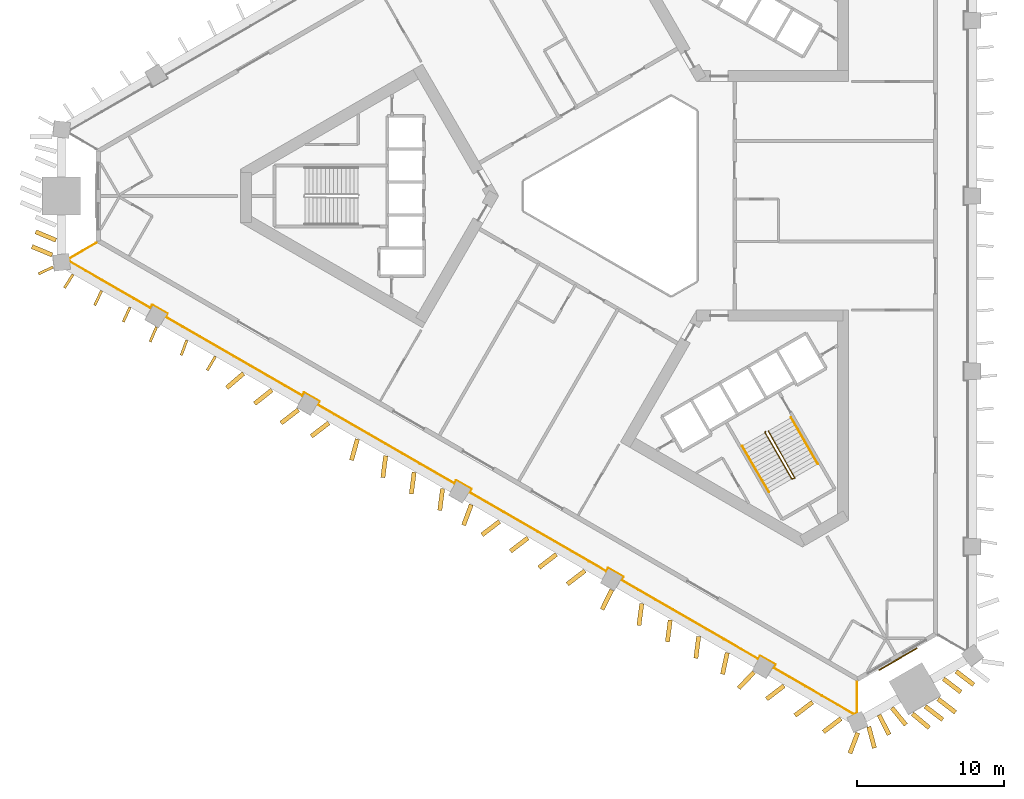
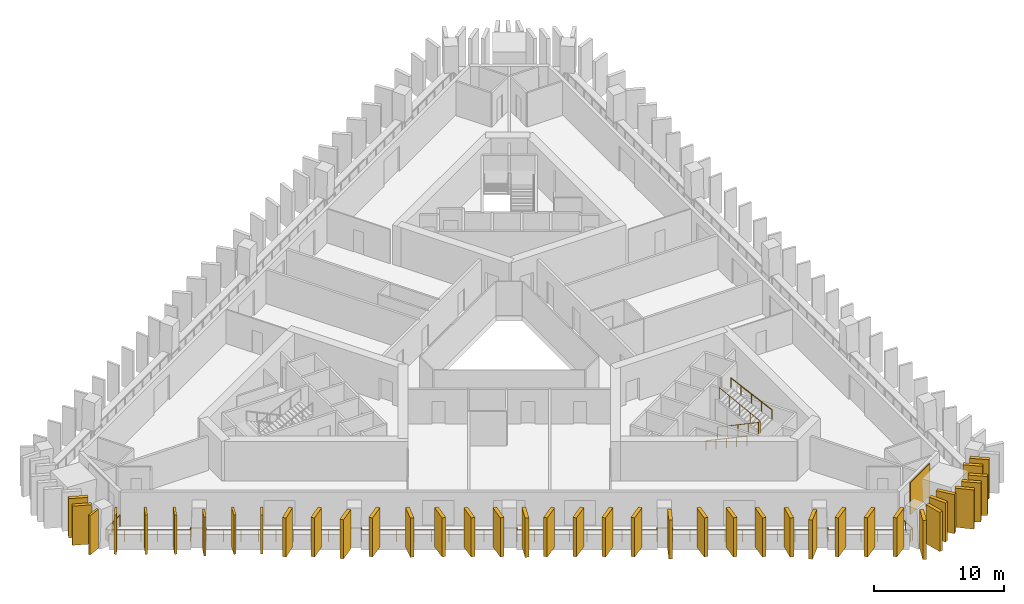
# One storey, part 7 of 10: 40 shading devices, 4 railings, 1 covering.
"""IFC4 building model written with IfcOpenShell, lengths in metres."""

from ifc_helpers import new_model, si_unit, direction, frame, frame_2d, origin, origin_2d, place, context, subcontext, project, spatial, rectangle, circle, extrude, material, layer, layer_set, type_object, element, save


model = new_model("IFC4")

# Units and contexts
model_context = context("Model", 3, precision=1e-05, world=origin(), true_north=direction((0.0, 1.0)))
body_context = subcontext(model_context, "Body", "Model", "MODEL_VIEW")
ifc_project = project(units=[si_unit("LENGTHUNIT", "METRE"), si_unit("AREAUNIT", "SQUARE_METRE"), si_unit("VOLUMEUNIT", "CUBIC_METRE"), si_unit("PLANEANGLEUNIT", "RADIAN"), si_unit("MASSUNIT", "GRAM", prefix="KILO")], contexts=[model_context])

# Site, building, storey
site_placement = place(None, origin())
site = spatial("IfcSite", under=ifc_project, at=site_placement, CompositionType="ELEMENT")
building_placement = place(site_placement, origin())
building = spatial("IfcBuilding", under=site, at=building_placement, Name="Jabali Bay Hotel Tower and Convention Centre", CompositionType="ELEMENT")
storey_placement = place(building_placement, frame((0.0, 0.0, 64.699951171875)))
storey = spatial("IfcBuildingStorey", under=building, at=storey_placement, Name="L14", CompositionType="ELEMENT", Elevation=64.699951171875)

# Railing
ifc_material_1 = material(Name="Glass", Category="glass")
railing_type_1 = type_object("IfcRailingType", Name="Loggia glass guard 1100", PredefinedType="BALUSTRADE", material=ifc_material_1)
railing_1_placement = place(storey_placement, frame((90.448974609375, 46.83251953125, 0.0)))
element("IfcRailing", 1, at=railing_1_placement, inside=storey, type_object=railing_type_1, Name="Loggia glass guard L14", PredefinedType="BALUSTRADE", context=body_context, shape_type="SweptSolid", body=[
    extrude(circle(Radius=0.02490234375, at=origin_2d()), frame((0.0, 0.0, 1.0751953125), z_axis=(0.0, -1.0, 0.0), x_axis=(0.991444861374, 0.0, 0.13052619222)), (0.0, 0.0, 1.0), 2.110595703125),
    extrude(circle(Radius=0.02490234375, at=origin_2d()), frame((0.0, -2.110595703125, 1.0751953125), z_axis=(-0.918259892691, -0.395978243688, 0.0), x_axis=(0.392590594921, -0.910404052014, 0.13052619222)), (0.0, 0.0, 1.0), 0.214599609375),
    extrude(circle(Radius=0.02490234375, at=origin_2d()), frame((-0.197021484375, -2.195556640625, 1.0751953125), z_axis=(-0.866031932279, 0.499988692146, 0.0), x_axis=(-0.495711219573, -0.858622909043, 0.13052619222)), (0.0, 0.0, 1.0), 6.350341796875),
    extrude(circle(Radius=0.02490234375, at=origin_2d()), frame((-5.696533203125, 0.9794921875, 1.0751953125), z_axis=(0.500342721131, 0.865827443207, 0.0), x_axis=(-0.858420169404, 0.496062219791, 0.13052619222)), (0.0, 0.0, 1.0), 0.249755859375),
    extrude(circle(Radius=0.02490234375, at=origin_2d()), frame((-5.571533203125, 1.19580078125, 1.0751953125), z_axis=(-0.865955154139, 0.50012165622, 0.0), x_axis=(-0.495843046121, -0.858546787751, 0.13052619222)), (0.0, 0.0, 1.0), 1.199951171875),
    extrude(circle(Radius=0.02490234375, at=origin_2d()), frame((-6.610595703125, 1.7958984375, 1.0751953125), z_axis=(-0.499919672301, -0.866071776036, 0.0), x_axis=(0.858662411932, -0.495642790202, 0.13052619222)), (0.0, 0.0, 1.0), 0.25),
    extrude(circle(Radius=0.02490234375, at=origin_2d()), frame((-6.735595703125, 1.579345703125, 1.0751953125), z_axis=(-0.866026284099, 0.499998475248, 0.0), x_axis=(-0.495720918979, -0.858617309184, 0.13052619222)), (0.0, 0.0, 1.0), 10.77001953125),
    extrude(circle(Radius=0.02490234375, at=origin_2d()), frame((-16.062744140625, 6.96435546875, 1.0751953125), z_axis=(0.499919672301, 0.866071776036, 0.0), x_axis=(-0.858662411932, 0.495642790202, 0.13052619222)), (0.0, 0.0, 1.0), 0.25),
    extrude(circle(Radius=0.02490234375, at=origin_2d()), frame((-15.937744140625, 7.180908203125, 1.0751953125), z_axis=(-0.866006032174, 0.500033551112, 0.0), x_axis=(-0.495755694765, -0.858597230518, 0.13052619222)), (0.0, 0.0, 1.0), 1.2001953125),
    extrude(circle(Radius=0.02490234375, at=origin_2d()), frame((-16.97705078125, 7.781005859375, 1.0751953125), z_axis=(-0.499919672301, -0.866071776036, 0.0), x_axis=(0.858662411932, -0.495642790202, 0.13052619222)), (0.0, 0.0, 1.0), 0.25),
    extrude(circle(Radius=0.02490234375, at=origin_2d()), frame((-17.10205078125, 7.564453125, 1.0751953125), z_axis=(-0.866026284099, 0.499998475248, 0.0), x_axis=(-0.495720918979, -0.858617309184, 0.13052619222)), (0.0, 0.0, 1.0), 10.77001953125),
    extrude(circle(Radius=0.02490234375, at=origin_2d()), frame((-26.42919921875, 12.949462890625, 1.0751953125), z_axis=(0.500342721131, 0.865827443207, 0.0), x_axis=(-0.858420169404, 0.496062219791, 0.13052619222)), (0.0, 0.0, 1.0), 0.249755859375),
    extrude(circle(Radius=0.02490234375, at=origin_2d()), frame((-26.30419921875, 13.165771484375, 1.0751953125), z_axis=(-0.865955154139, 0.50012165622, 0.0), x_axis=(-0.495843046121, -0.858546787751, 0.13052619222)), (0.0, 0.0, 1.0), 1.199951171875),
    extrude(circle(Radius=0.02490234375, at=origin_2d()), frame((-27.34326171875, 13.765869140625, 1.0751953125), z_axis=(-0.499919672301, -0.866071776036, 0.0), x_axis=(0.858662411932, -0.495642790202, 0.13052619222)), (0.0, 0.0, 1.0), 0.25),
    extrude(circle(Radius=0.02490234375, at=origin_2d()), frame((-27.46826171875, 13.54931640625, 1.0751953125), z_axis=(-0.866026284099, 0.499998475248, 0.0), x_axis=(-0.495720918979, -0.858617309184, 0.13052619222)), (0.0, 0.0, 1.0), 10.77001953125),
    extrude(circle(Radius=0.02490234375, at=origin_2d()), frame((-36.79541015625, 18.934326171875, 1.0751953125), z_axis=(0.499919672301, 0.866071776036, 0.0), x_axis=(-0.858662411932, 0.495642790202, 0.13052619222)), (0.0, 0.0, 1.0), 0.25),
    extrude(circle(Radius=0.02490234375, at=origin_2d()), frame((-36.67041015625, 19.15087890625, 1.0751953125), z_axis=(-0.866006032174, 0.500033551112, 0.0), x_axis=(-0.495755694765, -0.858597230518, 0.13052619222)), (0.0, 0.0, 1.0), 1.2001953125),
    extrude(circle(Radius=0.02490234375, at=origin_2d()), frame((-37.709716796875, 19.7509765625, 1.0751953125), z_axis=(-0.499919672301, -0.866071776036, 0.0), x_axis=(0.858662411932, -0.495642790202, 0.13052619222)), (0.0, 0.0, 1.0), 0.25),
    extrude(circle(Radius=0.02490234375, at=origin_2d()), frame((-37.834716796875, 19.534423828125, 1.0751953125), z_axis=(-0.866020616849, 0.500008291124, 0.0), x_axis=(-0.49573065088, -0.858611690418, 0.13052619222)), (0.0, 0.0, 1.0), 10.769775390625),
    extrude(circle(Radius=0.02490234375, at=origin_2d()), frame((-47.16162109375, 24.91943359375, 1.0751953125), z_axis=(0.499919672301, 0.866071776036, 0.0), x_axis=(-0.858662411932, 0.495642790202, 0.13052619222)), (0.0, 0.0, 1.0), 0.25),
    extrude(circle(Radius=0.02490234375, at=origin_2d()), frame((-47.03662109375, 25.135986328125, 1.0751953125), z_axis=(-0.866094119867, 0.499880961361, 0.0), x_axis=(-0.49560441044, -0.858684564609, 0.13052619222)), (0.0, 0.0, 1.0), 1.199951171875),
    extrude(circle(Radius=0.02490234375, at=origin_2d()), frame((-48.075927734375, 25.73583984375, 1.0751953125), z_axis=(-0.499919672301, -0.866071776036, 0.0), x_axis=(0.858662411932, -0.495642790202, 0.13052619222)), (0.0, 0.0, 1.0), 0.25),
    extrude(circle(Radius=0.02490234375, at=origin_2d()), frame((-48.200927734375, 25.519287109375, 1.0751953125), z_axis=(-0.866022320763, 0.500005339912, 0.0), x_axis=(-0.495727724915, -0.858613379755, 0.13052619222)), (0.0, 0.0, 1.0), 6.35009765625),
    extrude(circle(Radius=0.02490234375, at=origin_2d()), frame((-53.7001953125, 28.6943359375, 1.0751953125), z_axis=(-0.115918072513, 0.993258778197, 0.0), x_axis=(-0.984761311658, -0.114926377333, 0.13052619222)), (0.0, 0.0, 1.0), 0.21484375),
    extrude(circle(Radius=0.02490234375, at=origin_2d()), frame((-53.72509765625, 28.90771484375, 1.0751953125), z_axis=(0.866027613664, 0.499996172356, 0.0), x_axis=(-0.495718635789, 0.858618627375, 0.13052619222)), (0.0, 0.0, 1.0), 2.1103515625),
    extrude(circle(Radius=0.02001953125, at=origin_2d()), origin(), (0.0, 0.0, 1.0), 1.050048828125),
    extrude(circle(Radius=0.02001953125, at=origin_2d()), frame((0.0, -1.05517578125, 0.0)), (0.0, 0.0, 1.0), 1.050048828125),
    extrude(circle(Radius=0.02001953125, at=origin_2d()), frame((0.0, -2.110595703125, 0.0)), (0.0, 0.0, 1.0), 1.050048828125),
    extrude(circle(Radius=0.02001953125, at=origin_2d()), frame((-0.197021484375, -2.195556640625, 0.0)), (0.0, 0.0, 1.0), 1.050048828125),
    extrude(circle(Radius=0.02001953125, at=origin_2d()), frame((-1.296875, -1.560546875, 0.0)), (0.0, 0.0, 1.0), 1.050048828125),
    extrude(circle(Radius=0.02001953125, at=origin_2d()), frame((-2.396728515625, -0.925537109375, 0.0)), (0.0, 0.0, 1.0), 1.050048828125),
    extrude(circle(Radius=0.02001953125, at=origin_2d()), frame((-3.496826171875, -0.29052734375, 0.0)), (0.0, 0.0, 1.0), 1.050048828125),
    extrude(circle(Radius=0.02001953125, at=origin_2d()), frame((-4.5966796875, 0.344482421875, 0.0)), (0.0, 0.0, 1.0), 1.050048828125),
    extrude(circle(Radius=0.02001953125, at=origin_2d()), frame((-5.696533203125, 0.9794921875, 0.0)), (0.0, 0.0, 1.0), 1.050048828125),
    extrude(circle(Radius=0.02001953125, at=origin_2d()), frame((-5.571533203125, 1.19580078125, 0.0)), (0.0, 0.0, 1.0), 1.050048828125),
    extrude(circle(Radius=0.02001953125, at=origin_2d()), frame((-6.610595703125, 1.7958984375, 0.0)), (0.0, 0.0, 1.0), 1.050048828125),
    extrude(circle(Radius=0.02001953125, at=origin_2d()), frame((-6.735595703125, 1.579345703125, 0.0)), (0.0, 0.0, 1.0), 1.050048828125),
    extrude(circle(Radius=0.02001953125, at=origin_2d()), frame((-7.9013671875, 2.25244140625, 0.0)), (0.0, 0.0, 1.0), 1.050048828125),
    extrude(circle(Radius=0.02001953125, at=origin_2d()), frame((-9.0673828125, 2.925537109375, 0.0)), (0.0, 0.0, 1.0), 1.050048828125),
    extrude(circle(Radius=0.02001953125, at=origin_2d()), frame((-10.2333984375, 3.5986328125, 0.0)), (0.0, 0.0, 1.0), 1.050048828125),
    extrude(circle(Radius=0.02001953125, at=origin_2d()), frame((-11.399169921875, 4.27197265625, 0.0)), (0.0, 0.0, 1.0), 1.050048828125),
    extrude(circle(Radius=0.02001953125, at=origin_2d()), frame((-12.56494140625, 4.945068359375, 0.0)), (0.0, 0.0, 1.0), 1.050048828125),
    extrude(circle(Radius=0.02001953125, at=origin_2d()), frame((-13.73095703125, 5.6181640625, 0.0)), (0.0, 0.0, 1.0), 1.050048828125),
    extrude(circle(Radius=0.02001953125, at=origin_2d()), frame((-14.89697265625, 6.291259765625, 0.0)), (0.0, 0.0, 1.0), 1.050048828125),
    extrude(circle(Radius=0.02001953125, at=origin_2d()), frame((-16.062744140625, 6.96435546875, 0.0)), (0.0, 0.0, 1.0), 1.050048828125),
    extrude(circle(Radius=0.02001953125, at=origin_2d()), frame((-15.937744140625, 7.180908203125, 0.0)), (0.0, 0.0, 1.0), 1.050048828125),
    extrude(circle(Radius=0.02001953125, at=origin_2d()), frame((-16.97705078125, 7.781005859375, 0.0)), (0.0, 0.0, 1.0), 1.050048828125),
    extrude(circle(Radius=0.02001953125, at=origin_2d()), frame((-17.10205078125, 7.564453125, 0.0)), (0.0, 0.0, 1.0), 1.050048828125),
    extrude(circle(Radius=0.02001953125, at=origin_2d()), frame((-18.26806640625, 8.237548828125, 0.0)), (0.0, 0.0, 1.0), 1.050048828125),
    extrude(circle(Radius=0.02001953125, at=origin_2d()), frame((-19.433837890625, 8.91064453125, 0.0)), (0.0, 0.0, 1.0), 1.050048828125),
    extrude(circle(Radius=0.02001953125, at=origin_2d()), frame((-20.599609375, 9.583740234375, 0.0)), (0.0, 0.0, 1.0), 1.050048828125),
    extrude(circle(Radius=0.02001953125, at=origin_2d()), frame((-21.765625, 10.2568359375, 0.0)), (0.0, 0.0, 1.0), 1.050048828125),
    extrude(circle(Radius=0.02001953125, at=origin_2d()), frame((-22.931640625, 10.93017578125, 0.0)), (0.0, 0.0, 1.0), 1.050048828125),
    extrude(circle(Radius=0.02001953125, at=origin_2d()), frame((-24.097412109375, 11.603271484375, 0.0)), (0.0, 0.0, 1.0), 1.050048828125),
    extrude(circle(Radius=0.02001953125, at=origin_2d()), frame((-25.26318359375, 12.2763671875, 0.0)), (0.0, 0.0, 1.0), 1.050048828125),
    extrude(circle(Radius=0.02001953125, at=origin_2d()), frame((-26.42919921875, 12.949462890625, 0.0)), (0.0, 0.0, 1.0), 1.050048828125),
    extrude(circle(Radius=0.02001953125, at=origin_2d()), frame((-26.30419921875, 13.165771484375, 0.0)), (0.0, 0.0, 1.0), 1.050048828125),
    extrude(circle(Radius=0.02001953125, at=origin_2d()), frame((-27.34326171875, 13.765869140625, 0.0)), (0.0, 0.0, 1.0), 1.050048828125),
    extrude(circle(Radius=0.02001953125, at=origin_2d()), frame((-27.46826171875, 13.54931640625, 0.0)), (0.0, 0.0, 1.0), 1.050048828125),
    extrude(circle(Radius=0.02001953125, at=origin_2d()), frame((-28.63427734375, 14.222412109375, 0.0)), (0.0, 0.0, 1.0), 1.050048828125),
    extrude(circle(Radius=0.02001953125, at=origin_2d()), frame((-29.800048828125, 14.8955078125, 0.0)), (0.0, 0.0, 1.0), 1.050048828125),
    extrude(circle(Radius=0.02001953125, at=origin_2d()), frame((-30.9658203125, 15.568603515625, 0.0)), (0.0, 0.0, 1.0), 1.050048828125),
    extrude(circle(Radius=0.02001953125, at=origin_2d()), frame((-32.1318359375, 16.24169921875, 0.0)), (0.0, 0.0, 1.0), 1.050048828125),
    extrude(circle(Radius=0.02001953125, at=origin_2d()), frame((-33.2978515625, 16.9150390625, 0.0)), (0.0, 0.0, 1.0), 1.050048828125),
    extrude(circle(Radius=0.02001953125, at=origin_2d()), frame((-34.463623046875, 17.588134765625, 0.0)), (0.0, 0.0, 1.0), 1.050048828125),
    extrude(circle(Radius=0.02001953125, at=origin_2d()), frame((-35.62939453125, 18.26123046875, 0.0)), (0.0, 0.0, 1.0), 1.050048828125),
    extrude(circle(Radius=0.02001953125, at=origin_2d()), frame((-36.79541015625, 18.934326171875, 0.0)), (0.0, 0.0, 1.0), 1.050048828125),
    extrude(circle(Radius=0.02001953125, at=origin_2d()), frame((-36.67041015625, 19.15087890625, 0.0)), (0.0, 0.0, 1.0), 1.050048828125),
    extrude(circle(Radius=0.02001953125, at=origin_2d()), frame((-37.709716796875, 19.7509765625, 0.0)), (0.0, 0.0, 1.0), 1.050048828125),
    extrude(circle(Radius=0.02001953125, at=origin_2d()), frame((-37.834716796875, 19.534423828125, 0.0)), (0.0, 0.0, 1.0), 1.050048828125),
    extrude(circle(Radius=0.02001953125, at=origin_2d()), frame((-39.00048828125, 20.20751953125, 0.0)), (0.0, 0.0, 1.0), 1.050048828125),
    extrude(circle(Radius=0.02001953125, at=origin_2d()), frame((-40.16650390625, 20.880615234375, 0.0)), (0.0, 0.0, 1.0), 1.050048828125),
    extrude(circle(Radius=0.02001953125, at=origin_2d()), frame((-41.332275390625, 21.5537109375, 0.0)), (0.0, 0.0, 1.0), 1.050048828125),
    extrude(circle(Radius=0.02001953125, at=origin_2d()), frame((-42.498046875, 22.22705078125, 0.0)), (0.0, 0.0, 1.0), 1.050048828125),
    extrude(circle(Radius=0.02001953125, at=origin_2d()), frame((-43.6640625, 22.900146484375, 0.0)), (0.0, 0.0, 1.0), 1.050048828125),
    extrude(circle(Radius=0.02001953125, at=origin_2d()), frame((-44.829833984375, 23.5732421875, 0.0)), (0.0, 0.0, 1.0), 1.050048828125),
    extrude(circle(Radius=0.02001953125, at=origin_2d()), frame((-45.995849609375, 24.246337890625, 0.0)), (0.0, 0.0, 1.0), 1.050048828125),
    extrude(circle(Radius=0.02001953125, at=origin_2d()), frame((-47.16162109375, 24.91943359375, 0.0)), (0.0, 0.0, 1.0), 1.050048828125),
    extrude(circle(Radius=0.02001953125, at=origin_2d()), frame((-47.03662109375, 25.135986328125, 0.0)), (0.0, 0.0, 1.0), 1.050048828125),
    extrude(circle(Radius=0.02001953125, at=origin_2d()), frame((-48.075927734375, 25.73583984375, 0.0)), (0.0, 0.0, 1.0), 1.050048828125),
    extrude(circle(Radius=0.02001953125, at=origin_2d()), frame((-48.200927734375, 25.519287109375, 0.0)), (0.0, 0.0, 1.0), 1.050048828125),
    extrude(circle(Radius=0.02001953125, at=origin_2d()), frame((-49.30078125, 26.154296875, 0.0)), (0.0, 0.0, 1.0), 1.050048828125),
    extrude(circle(Radius=0.02001953125, at=origin_2d()), frame((-50.400634765625, 26.789306640625, 0.0)), (0.0, 0.0, 1.0), 1.050048828125),
    extrude(circle(Radius=0.02001953125, at=origin_2d()), frame((-51.50048828125, 27.42431640625, 0.0)), (0.0, 0.0, 1.0), 1.050048828125),
    extrude(circle(Radius=0.02001953125, at=origin_2d()), frame((-52.600341796875, 28.059326171875, 0.0)), (0.0, 0.0, 1.0), 1.050048828125),
    extrude(circle(Radius=0.02001953125, at=origin_2d()), frame((-53.7001953125, 28.6943359375, 0.0)), (0.0, 0.0, 1.0), 1.050048828125),
    extrude(circle(Radius=0.02001953125, at=origin_2d()), frame((-53.72509765625, 28.90771484375, 0.0)), (0.0, 0.0, 1.0), 1.050048828125),
    extrude(circle(Radius=0.02001953125, at=origin_2d()), frame((-52.811279296875, 29.435302734375, 0.0)), (0.0, 0.0, 1.0), 1.050048828125),
    extrude(circle(Radius=0.02001953125, at=origin_2d()), frame((-51.8974609375, 29.962890625, 0.0)), (0.0, 0.0, 1.0), 1.050048828125),
])

# Shading devices
ifc_material_2 = material(Name="Precast concrete C60", Category="concrete")
ifc_layer_1 = layer(ifc_material_2, 0.179931640625)
ifc_layer_set_1 = layer_set([ifc_layer_1], Name="Precast concrete C60")
shading_device_type_1 = type_object("IfcShadingDeviceType", Name="Precast fin 3680 x 1100", PredefinedType="USERDEFINED", material=ifc_layer_set_1)
for number, where, z_axis, x_axis, name in (
    (2, (36.973876953125, 74.650634765625, 0.010009765625), (0.0, 0.0, 1.0), (-0.537320606179, -0.843378068351, 0.0), "Fin L14 074"),
    (3, (38.9130859375, 73.52685546875, 0.010009765625), (0.0, 0.0, 1.0), (-0.425241157529, -0.905080083718, 0.0), "Fin L14 075"),
):
    element("IfcShadingDevice", number, at=place(storey_placement, frame(where, z_axis=z_axis, x_axis=x_axis)), inside=storey, type_object=shading_device_type_1, Name=name, ObjectType="FIN", PredefinedType="USERDEFINED", context=body_context, shape_type="SweptSolid", body=[
        extrude(rectangle(XDim=1.10009765625, YDim=0.179931640625, at=frame_2d((0.550048828125, 0.0))), origin(), (0.0, 0.0, 1.0), 3.679931640625),
    ])
shading_device_1_placement = place(storey_placement, frame((40.853515625, 72.405517578125, 0.010009765625), z_axis=(0.0, 0.0, 1.0), x_axis=(-0.417762698735, -0.90855617743, 0.0)))
element("IfcShadingDevice", 4, at=shading_device_1_placement, inside=storey, type_object=shading_device_type_1, Name="Fin L14 076", ObjectType="FIN", PredefinedType="USERDEFINED", context=body_context, shape_type="SweptSolid", body=[
    extrude(rectangle(XDim=1.099853515625, YDim=0.179931640625, at=frame_2d((0.5498046875, 0.0))), origin(), (0.0, 0.0, 1.0), 3.679931640625),
])
for number, where, z_axis, x_axis, name in (
    (5, (42.664794921875, 71.06005859375, 0.010009765625), (0.0, 0.0, 1.0), (-0.397719547411, -0.917507036271, 0.0), "Fin L14 077"),
    (6, (44.732177734375, 70.158447265625, 0.010009765625), (0.0, 0.0, 1.0), (-0.348008203872, -0.937491487982, 0.0), "Fin L14 078"),
):
    element("IfcShadingDevice", number, at=place(storey_placement, frame(where, z_axis=z_axis, x_axis=x_axis)), inside=storey, type_object=shading_device_type_1, Name=name, ObjectType="FIN", PredefinedType="USERDEFINED", context=body_context, shape_type="SweptSolid", body=[
        extrude(rectangle(XDim=1.10009765625, YDim=0.179931640625, at=frame_2d((0.550048828125, 0.0))), origin(), (0.0, 0.0, 1.0), 3.679931640625),
    ])
shading_device_2_placement = place(storey_placement, frame((46.680419921875, 69.050537109375, 0.010009765625), z_axis=(0.0, 0.0, 1.0), x_axis=(-0.504505706254, -0.863408357822, 0.0)))
element("IfcShadingDevice", 7, at=shading_device_2_placement, inside=storey, type_object=shading_device_type_1, Name="Fin L14 079", ObjectType="FIN", PredefinedType="USERDEFINED", context=body_context, shape_type="SweptSolid", body=[
    extrude(rectangle(XDim=1.099853515625, YDim=0.179931640625, at=frame_2d((0.5498046875, 0.0))), origin(), (0.0, 0.0, 1.0), 3.679931640625),
])
shading_device_3_placement = place(storey_placement, frame((35.60595703125, 75.152587890625, 0.010009765625), z_axis=(0.0, 0.0, 1.0), x_axis=(-0.903511757485, -0.42856330231, 0.0)))
element("IfcShadingDevice", 8, at=shading_device_3_placement, inside=storey, type_object=shading_device_type_1, Name="Fin L14 115", ObjectType="FIN", PredefinedType="USERDEFINED", context=body_context, shape_type="SweptSolid", body=[
    extrude(rectangle(XDim=1.10009765625, YDim=0.179931640625, at=frame_2d((0.550048828125, 0.0))), origin(), (0.0, 0.0, 1.0), 3.679931640625),
])
ifc_layer_2 = layer(ifc_material_2, 0.300048828125)
ifc_layer_set_2 = layer_set([ifc_layer_2], Name="Precast concrete C60")
shading_device_type_2 = type_object("IfcShadingDeviceType", Name="Precast fin 3680 x 1500", PredefinedType="USERDEFINED", material=ifc_layer_set_2)
shading_device_4_placement = place(storey_placement, frame((35.80712890625, 76.978271484375, 0.010009765625), z_axis=(0.0, 0.0, 1.0), x_axis=(-0.923096181819, 0.384569160374, 0.0)))
element("IfcShadingDevice", 9, at=shading_device_4_placement, inside=storey, type_object=shading_device_type_2, Name="Fin L14 072", ObjectType="FIN", PredefinedType="USERDEFINED", context=body_context, shape_type="SweptSolid", body=[
    extrude(rectangle(XDim=1.500244140625, YDim=0.300048828125, at=frame_2d((0.75, 0.0))), origin(), (0.0, 0.0, 1.0), 3.679931640625),
])
shading_device_5_placement = place(storey_placement, frame((35.550537109375, 75.97119140625, 0.010009765625), z_axis=(0.0, 0.0, 1.0), x_axis=(-0.923129890319, 0.384488238571, 0.0)))
element("IfcShadingDevice", 10, at=shading_device_5_placement, inside=storey, type_object=shading_device_type_2, Name="Fin L14 073", ObjectType="FIN", PredefinedType="USERDEFINED", context=body_context, shape_type="SweptSolid", body=[
    extrude(rectangle(XDim=1.499755859375, YDim=0.300048828125, at=frame_2d((0.75, 0.0))), origin(), (0.0, 0.0, 1.0), 3.679931640625),
])
shading_device_6_placement = place(storey_placement, frame((48.5966796875, 67.88720703125, 0.010009765625), z_axis=(0.0, 0.0, 1.0), x_axis=(-0.759302557881, -0.650737754857, 0.0)))
element("IfcShadingDevice", 11, at=shading_device_6_placement, inside=storey, type_object=shading_device_type_2, Name="Fin L14 080", ObjectType="FIN", PredefinedType="USERDEFINED", context=body_context, shape_type="SweptSolid", body=[
    extrude(rectangle(XDim=1.5, YDim=0.300048828125, at=frame_2d((0.75, 0.0))), origin(), (0.0, 0.0, 1.0), 3.679931640625),
])
shading_device_7_placement = place(storey_placement, frame((50.53515625, 66.76171875, 0.010009765625), z_axis=(0.0, 0.0, 1.0), x_axis=(-0.78378174823, -0.621036368614, 0.0)))
element("IfcShadingDevice", 12, at=shading_device_7_placement, inside=storey, type_object=shading_device_type_2, Name="Fin L14 081", ObjectType="FIN", PredefinedType="USERDEFINED", context=body_context, shape_type="SweptSolid", body=[
    extrude(rectangle(XDim=1.500244140625, YDim=0.300048828125, at=frame_2d((0.75, 0.0))), origin(), (0.0, 0.0, 1.0), 3.679931640625),
])
for number, where, z_axis, x_axis, name in (
    (13, (52.346435546875, 65.416748046875, 0.010009765625), (0.0, 0.0, 1.0), (-0.791503298188, -0.611164895064, 0.0), "Fin L14 082"),
    (14, (54.416015625, 64.5185546875, 0.010009765625), (0.0, 0.0, 1.0), (-0.793766129681, -0.608223093422, 0.0), "Fin L14 083"),
):
    element("IfcShadingDevice", number, at=place(storey_placement, frame(where, z_axis=z_axis, x_axis=x_axis)), inside=storey, type_object=shading_device_type_2, Name=name, ObjectType="FIN", PredefinedType="USERDEFINED", context=body_context, shape_type="SweptSolid", body=[
        extrude(rectangle(XDim=1.5, YDim=0.300048828125, at=frame_2d((0.75, 0.0))), origin(), (0.0, 0.0, 1.0), 3.679931640625),
    ])
for number, where, z_axis, x_axis, name in (
    (15, (56.36669921875, 63.4150390625, 0.010009765625), (0.0, 0.0, 1.0), (-0.266627877849, -0.963799551127, 0.0), "Fin L14 084"),
    (16, (58.2978515625, 62.277099609375, 0.010009765625), (0.0, 0.0, 1.0), (-0.128761553887, -0.991675583162, 0.0), "Fin L14 085"),
):
    element("IfcShadingDevice", number, at=place(storey_placement, frame(where, z_axis=z_axis, x_axis=x_axis)), inside=storey, type_object=shading_device_type_2, Name=name, ObjectType="FIN", PredefinedType="USERDEFINED", context=body_context, shape_type="SweptSolid", body=[
        extrude(rectangle(XDim=1.499755859375, YDim=0.300048828125, at=frame_2d((0.75, 0.0))), origin(), (0.0, 0.0, 1.0), 3.679931640625),
    ])
for number, where, z_axis, x_axis, name in (
    (17, (60.23876953125, 61.156494140625, 0.010009765625), (0.0, 0.0, 1.0), (-0.128580707026, -0.991699047988, 0.0), "Fin L14 086"),
    (18, (62.1796875, 60.035888671875, 0.010009765625), (0.0, 0.0, 1.0), (-0.128580707026, -0.991699047988, 0.0), "Fin L14 087"),
    (19, (64.13720703125, 58.94384765625, 0.010009765625), (0.0, 0.0, 1.0), (-0.350588277937, -0.936529689531, 0.0), "Fin L14 088"),
    (20, (66.061767578125, 57.794677734375, 0.010009765625), (0.0, 0.0, 1.0), (-0.794537958448, -0.607214486475, 0.0), "Fin L14 089"),
    (21, (68.002685546875, 56.674072265625, 0.010009765625), (0.0, 0.0, 1.0), (-0.794537958448, -0.607214486475, 0.0), "Fin L14 090"),
    (22, (69.943603515625, 55.553466796875, 0.010009765625), (0.0, 0.0, 1.0), (-0.794477939917, -0.607293012462, 0.0), "Fin L14 091"),
    (23, (71.884765625, 54.432861328125, 0.010009765625), (0.0, 0.0, 1.0), (-0.794537958448, -0.607214486475, 0.0), "Fin L14 092"),
    (24, (73.720703125, 53.130615234375, 0.010009765625), (0.0, 0.0, 1.0), (-0.441736428261, -0.897144875673, 0.0), "Fin L14 093"),
    (25, (75.7666015625, 52.191650390625, 0.010009765625), (0.0, 0.0, 1.0), (-0.128580707026, -0.991699047988, 0.0), "Fin L14 094"),
    (26, (77.70751953125, 51.07080078125, 0.010009765625), (0.0, 0.0, 1.0), (-0.128580707026, -0.991699047988, 0.0), "Fin L14 095"),
    (27, (79.648681640625, 49.9501953125, 0.010009765625), (0.0, 0.0, 1.0), (-0.128740771471, -0.99167828138, 0.0), "Fin L14 096"),
    (28, (81.595458984375, 48.83984375, 0.010009765625), (0.0, 0.0, 1.0), (-0.211084858258, -0.977467739935, 0.0), "Fin L14 097"),
    (29, (83.413330078125, 47.505859375, 0.010009765625), (0.0, 0.0, 1.0), (-0.690061455867, -0.723750776944, 0.0), "Fin L14 098"),
    (30, (85.471435546875, 46.58837890625, 0.010009765625), (0.0, 0.0, 1.0), (-0.794477939917, -0.607293012462, 0.0), "Fin L14 099"),
    (31, (87.41259765625, 45.4677734375, 0.010009765625), (0.0, 0.0, 1.0), (-0.794537958448, -0.607214486475, 0.0), "Fin L14 100"),
    (32, (89.353515625, 44.34716796875, 0.010009765625), (0.0, 0.0, 1.0), (-0.794537958448, -0.607214486475, 0.0), "Fin L14 101"),
    (33, (91.25244140625, 43.79248046875, 0.010009765625), (0.0, 0.0, 1.0), (0.25667985107, -0.966496484243, 0.0), "Fin L14 102"),
    (34, (91.95458984375, 44.59033203125, 0.010009765625), (0.0, 0.0, 1.0), (0.455268788248, -0.890354047807, 0.0), "Fin L14 103"),
    (35, (92.8349609375, 45.080078125, 0.010009765625), (0.0, 0.0, 1.0), (0.631045965963, -0.775745440748, 0.0), "Fin L14 104"),
    (36, (94.227294921875, 44.68310546875, 0.010009765625), (0.0, 0.0, 1.0), (0.765801048386, -0.643077564755, 0.0), "Fin L14 105"),
    (37, (95.1025390625, 45.18115234375, 0.010009765625), (0.0, 0.0, 1.0), (0.794537958448, -0.607214486475, 0.0), "Fin L14 106"),
    (38, (95.974853515625, 45.684814453125, 0.010009765625), (0.0, 0.0, 1.0), (0.794537958448, -0.607214486475, 0.0), "Fin L14 107"),
    (39, (96.341064453125, 47.065185546875, 0.010009765625), (0.0, 0.0, 1.0), (0.794477939917, -0.607293012462, 0.0), "Fin L14 108"),
    (40, (97.21337890625, 47.56884765625, 0.010009765625), (0.0, 0.0, 1.0), (0.794477939917, -0.607293012462, 0.0), "Fin L14 109"),
    (41, (90.4990234375, 43.377197265625, 0.010009765625), (0.0, 0.0, 1.0), (-0.357287827496, -0.93399432992, 0.0), "Fin L14 116"),
):
    element("IfcShadingDevice", number, at=place(storey_placement, frame(where, z_axis=z_axis, x_axis=x_axis)), inside=storey, type_object=shading_device_type_2, Name=name, ObjectType="FIN", PredefinedType="USERDEFINED", context=body_context, shape_type="SweptSolid", body=[
        extrude(rectangle(XDim=1.5, YDim=0.300048828125, at=frame_2d((0.75, 0.0))), origin(), (0.0, 0.0, 1.0), 3.679931640625),
    ])

# Covering
ifc_material_3 = material(Name="Precast concrete C40/50", Category="concrete")
ifc_layer_3 = layer(ifc_material_3, 0.080078125)
ifc_layer_set_3 = layer_set([ifc_layer_3], Name="Precast concrete C40/50")
covering_type = type_object("IfcCoveringType", Name="Relief panel 3000 x 3000", PredefinedType="CLADDING", material=ifc_layer_set_3)
covering_placement = place(storey_placement, frame((93.244140625, 48.400146484375, 0.10009765625), z_axis=(0.0, 0.0, 1.0), x_axis=(-0.866025442827, -0.499999932376, 0.0)))
element("IfcCovering", 42, at=covering_placement, inside=storey, type_object=covering_type, Name="Relief panel L14", PredefinedType="CLADDING", context=body_context, shape_type="SweptSolid", body=[
    extrude(rectangle(XDim=3.0, YDim=0.080078125, at=origin_2d()), origin(), (0.0, 0.0, 1.0), 3.0),
])

# Railings
ifc_material_4 = material(Name="Steel Q355B", Category="steel")
railing_type_2 = type_object("IfcRailingType", Name="Stair guard 1100", PredefinedType="GUARDRAIL", material=ifc_material_4)
railing_2_placement = place(storey_placement, frame((84.199951171875, 63.9150390625, 0.0)))
element("IfcRailing", 43, at=railing_2_placement, inside=storey, type_object=railing_type_2, Name="L14 ST3 stair guard 1", PredefinedType="GUARDRAIL", context=body_context, shape_type="SweptSolid", body=[
    extrude(circle(Radius=0.02392578125, at=origin_2d()), frame((0.0, 0.0, 1.076171875), z_axis=(-0.122196845461, -0.456201556387, 0.881446578591), x_axis=(0.965948051503, -0.258736085224, 0.0)), (0.0, 0.0, 1.0), 0.14990234375),
    extrude(circle(Radius=0.02392578125, at=origin_2d()), frame((-0.018310546875, -0.068359375, 1.2080078125), z_axis=(0.45217862506, -0.783169739339, 0.426825081763), x_axis=(0.866018046521, 0.500012742938, 0.0)), (0.0, 0.0, 1.0), 4.025146484375),
    extrude(circle(Radius=0.02392578125, at=origin_2d()), frame((1.8017578125, -3.220703125, 2.92626953125), z_axis=(0.96121063429, 0.275815366736, 0.0), x_axis=(-0.275815366736, 0.96121063429, 0.0)), (0.0, 0.0, 1.0), 0.206298828125),
    extrude(circle(Radius=0.02392578125, at=origin_2d()), frame((2.0, -3.163818359375, 2.92626953125), z_axis=(-0.436481798955, 0.780166857725, 0.448133142368), x_axis=(-0.872702246529, -0.488252792008, 0.0)), (0.0, 0.0, 1.0), 4.1279296875),
    extrude(circle(Radius=0.02099609375, at=origin_2d()), origin(), (0.0, 0.0, 1.0), 1.052001953125),
    extrude(circle(Radius=0.02099609375, at=origin_2d()), frame((-0.018310546875, -0.068359375, 0.132080078125)), (0.0, 0.0, 1.0), 1.052001953125),
    extrude(circle(Radius=0.02099609375, at=origin_2d()), frame((0.436767578125, -0.8564453125, 0.5615234375)), (0.0, 0.0, 1.0), 1.052001953125),
    extrude(circle(Radius=0.02099609375, at=origin_2d()), frame((0.8916015625, -1.64453125, 0.9912109375)), (0.0, 0.0, 1.0), 1.052001953125),
    extrude(circle(Radius=0.02099609375, at=origin_2d()), frame((1.3466796875, -2.4326171875, 1.420654296875)), (0.0, 0.0, 1.0), 1.052001953125),
    extrude(circle(Radius=0.02099609375, at=origin_2d()), frame((1.8017578125, -3.220703125, 1.85009765625)), (0.0, 0.0, 1.0), 1.052001953125),
    extrude(circle(Radius=0.02099609375, at=origin_2d()), frame((2.0, -3.163818359375, 1.85009765625)), (0.0, 0.0, 1.0), 1.052001953125),
    extrude(circle(Radius=0.02099609375, at=origin_2d()), frame((1.549560546875, -2.358642578125, 2.3125)), (0.0, 0.0, 1.0), 1.052001953125),
    extrude(circle(Radius=0.02099609375, at=origin_2d()), frame((1.09912109375, -1.5537109375, 2.77490234375)), (0.0, 0.0, 1.0), 1.052001953125),
    extrude(circle(Radius=0.02099609375, at=origin_2d()), frame((0.648681640625, -0.74853515625, 3.237548828125)), (0.0, 0.0, 1.0), 1.052001953125),
    extrude(circle(Radius=0.02099609375, at=origin_2d()), frame((0.1982421875, 0.056640625, 3.699951171875)), (0.0, 0.0, 1.0), 1.052001953125),
])
railing_type_3 = type_object("IfcRailingType", Name="Stair handrail 900", PredefinedType="HANDRAIL", material=ifc_material_4)
railing_3_placement = place(storey_placement, frame((82.622802734375, 62.94677734375, 0.132080078125)))
element("IfcRailing", 44, at=railing_3_placement, inside=storey, type_object=railing_type_3, Name="L14 ST3 stair handrail 1", PredefinedType="HANDRAIL", context=body_context, shape_type="SweptSolid", body=[
    extrude(circle(Radius=0.02392578125, at=origin_2d()), frame((0.0, 0.0, 0.8759765625), z_axis=(0.45217862506, -0.783169739339, 0.426825081763), x_axis=(0.866018046521, 0.500012742938, 0.0)), (0.0, 0.0, 1.0), 4.025146484375),
    extrude(circle(Radius=0.02099609375, at=origin_2d()), origin(), (0.0, 0.0, 1.0), 0.851806640625),
    extrude(circle(Radius=0.02099609375, at=origin_2d()), frame((0.455078125, -0.7880859375, 0.429443359375)), (0.0, 0.0, 1.0), 0.851806640625),
    extrude(circle(Radius=0.02099609375, at=origin_2d()), frame((0.91015625, -1.576171875, 0.85888671875)), (0.0, 0.0, 1.0), 0.851806640625),
    extrude(circle(Radius=0.02099609375, at=origin_2d()), frame((1.364990234375, -2.3642578125, 1.28857421875)), (0.0, 0.0, 1.0), 0.851806640625),
    extrude(circle(Radius=0.02099609375, at=origin_2d()), frame((1.820068359375, -3.15234375, 1.718017578125)), (0.0, 0.0, 1.0), 0.851806640625),
])
railing_4_placement = place(storey_placement, frame((87.777099609375, 61.719482421875, 1.982177734375)))
element("IfcRailing", 45, at=railing_4_placement, inside=storey, type_object=railing_type_3, Name="L14 ST3 stair handrail 2", PredefinedType="HANDRAIL", context=body_context, shape_type="SweptSolid", body=[
    extrude(circle(Radius=0.02392578125, at=origin_2d()), frame((0.0, 0.0, 0.8759765625), z_axis=(-0.452190331055, 0.783190014029, 0.426775475427), x_axis=(-0.866018046521, -0.500012742938, 0.0)), (0.0, 0.0, 1.0), 4.02490234375),
    extrude(circle(Radius=0.02099609375, at=origin_2d()), origin(), (0.0, 0.0, 1.0), 0.851806640625),
    extrude(circle(Radius=0.02099609375, at=origin_2d()), frame((-0.455078125, 0.7880859375, 0.429443359375)), (0.0, 0.0, 1.0), 0.851806640625),
    extrude(circle(Radius=0.02099609375, at=origin_2d()), frame((-0.91015625, 1.576171875, 0.85888671875)), (0.0, 0.0, 1.0), 0.851806640625),
    extrude(circle(Radius=0.02099609375, at=origin_2d()), frame((-1.364990234375, 2.3642578125, 1.288330078125)), (0.0, 0.0, 1.0), 0.851806640625),
    extrude(circle(Radius=0.02099609375, at=origin_2d()), frame((-1.820068359375, 3.15234375, 1.7177734375)), (0.0, 0.0, 1.0), 0.851806640625),
])

save(model, "model.ifc")
